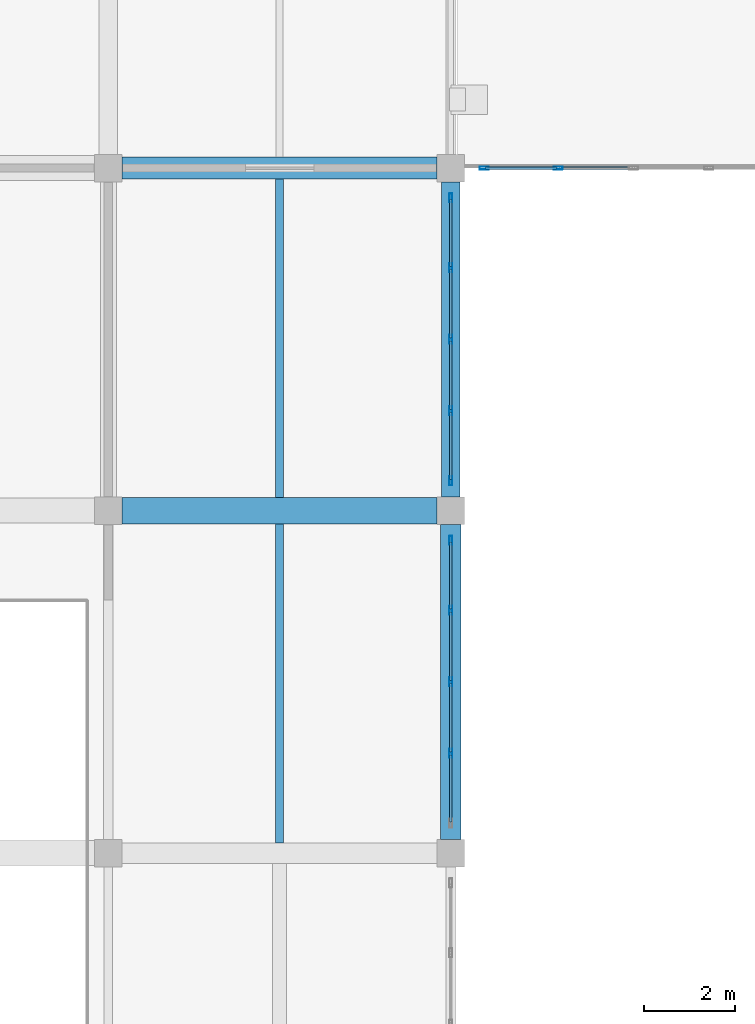
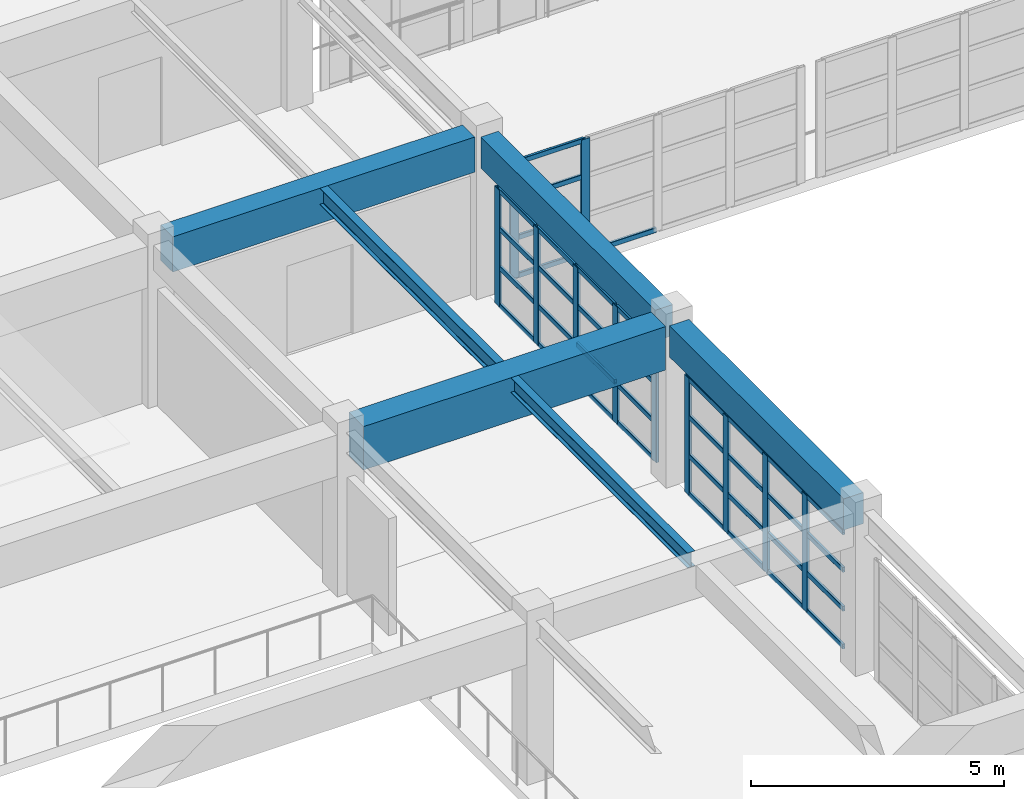
# One storey, part 10 of 124: 48 members, 6 beams, 3 elements without a shape of their own.
"""IFC4 building model written with IfcOpenShell, lengths in metres."""

from ifc_helpers import new_model, si_unit, direction, frame, origin, origin_2d, place, context, subcontext, project, spatial, rectangle, hollow_rectangle, i_section, extrude, material, material_profile, profile_set, type_object, element, aggregate, save


model = new_model("IFC4")

# Units and contexts
model_context = context("Model", 3, precision=1e-05, world=origin(), true_north=direction((0.0, 1.0)))
body_context = subcontext(model_context, "Body", "Model", "MODEL_VIEW")
ifc_project = project(units=[si_unit("LENGTHUNIT", "METRE"), si_unit("AREAUNIT", "SQUARE_METRE"), si_unit("VOLUMEUNIT", "CUBIC_METRE"), si_unit("PLANEANGLEUNIT", "RADIAN"), si_unit("MASSUNIT", "GRAM", prefix="KILO")], contexts=[model_context])

# Site, building, storey
site_placement = place(None, origin())
site = spatial("IfcSite", under=ifc_project, at=site_placement, CompositionType="ELEMENT")
building_placement = place(site_placement, origin())
building = spatial("IfcBuilding", under=site, at=building_placement, Name="Qasida Concert Hall", CompositionType="ELEMENT")
storey_placement = place(building_placement, frame((0.0, 0.0, 9.0)))
storey = spatial("IfcBuildingStorey", under=building, at=storey_placement, Name="L02", CompositionType="ELEMENT", Elevation=9.0)

# Beams
ifc_material_1 = material(Name="Concrete C40/50", Category="concrete")
ifc_material_profile_1 = material_profile(ifc_material_1, rectangle(XDim=0.47998046875, YDim=0.85009765625, at=origin_2d()), Name="RC 480x850")
ifc_profile_set_1 = profile_set([ifc_material_profile_1], Name="Concrete C40/50")
beam_type_1 = type_object("IfcBeamType", Name="BM-G6", PredefinedType="USERDEFINED", material=ifc_profile_set_1)
beam_1_placement = place(storey_placement, frame((30.300048828125, 30.0, 3.47509765625), z_axis=(1.0, 0.0, 0.0), x_axis=(0.0, 1.0, 0.0)))
element("IfcBeam", 1, at=beam_1_placement, inside=storey, type_object=beam_type_1, Name="Primary girder 1283", ObjectType="GIRDER", PredefinedType="USERDEFINED", context=body_context, shape_type="SweptSolid", body=[
    extrude(rectangle(XDim=0.47998046875, YDim=0.85009765625, at=origin_2d()), origin(), (0.0, 0.0, 1.0), 6.89990234375),
])
ifc_material_2 = material(Name="Concrete C50/60", Category="concrete")
ifc_material_profile_2 = material_profile(ifc_material_2, rectangle(XDim=0.580078125, YDim=1.050048828125, at=origin_2d()), Name="RC 580x1050")
ifc_profile_set_2 = profile_set([ifc_material_profile_2], Name="Concrete C50/60")
beam_type_2 = type_object("IfcBeamType", Name="BM-G8", PredefinedType="USERDEFINED", material=ifc_profile_set_2)
beam_2_placement = place(storey_placement, frame((30.300048828125, 22.5, 3.375), z_axis=(1.0, 0.0, 0.0), x_axis=(0.0, 1.0, 0.0)))
element("IfcBeam", 2, at=beam_2_placement, inside=storey, type_object=beam_type_2, Name="Primary girder 1280", ObjectType="GIRDER", PredefinedType="USERDEFINED", context=body_context, shape_type="SweptSolid", body=[
    extrude(rectangle(XDim=0.580078125, YDim=1.050048828125, at=origin_2d()), origin(), (0.0, 0.0, 1.0), 6.89990234375),
])
ifc_material_3 = material(Name="Steel S355J2", Category="steel")
ifc_material_profile_3 = material_profile(ifc_material_3, i_section(OverallWidth=0.169921875, OverallDepth=0.360107421875, WebThickness=0.008056640625, FlangeThickness=0.0126953125, FilletRadius=0.01806640625, at=origin_2d()), Name="IPE 360")
ifc_profile_set_3 = profile_set([ifc_material_profile_3], Name="Steel S355J2")
beam_type_3 = type_object("IfcBeamType", Name="BM-J2", PredefinedType="JOIST", material=ifc_profile_set_3)
beam_3_placement = place(storey_placement, frame((33.75, 15.22509765625, 3.719970703125), z_axis=(0.0, 1.0, 0.0), x_axis=(-1.0, 0.0, 0.0)))
element("IfcBeam", 3, at=beam_3_placement, inside=storey, type_object=beam_type_3, Name="L02 secondary joist 1345", PredefinedType="JOIST", context=body_context, shape_type="SweptSolid", body=[
    extrude(i_section(OverallWidth=0.169921875, OverallDepth=0.360107421875, WebThickness=0.008056640625, FlangeThickness=0.0126953125, FilletRadius=0.01806640625, at=origin_2d()), origin(), (0.0, 0.0, 1.0), 6.98486328125),
])
ifc_material_profile_4 = material_profile(ifc_material_3, i_section(OverallWidth=0.179931640625, OverallDepth=0.39990234375, WebThickness=0.008544921875, FlangeThickness=0.013427734375, FilletRadius=0.02099609375, at=origin_2d()), Name="IPE 400")
ifc_profile_set_4 = profile_set([ifc_material_profile_4], Name="Steel S355J2")
beam_type_4 = type_object("IfcBeamType", Name="BM-J3", PredefinedType="JOIST", material=ifc_profile_set_4)
beam_4_placement = place(storey_placement, frame((33.75, 22.7900390625, 3.699951171875), z_axis=(0.0, 1.0, 0.0), x_axis=(-1.0, 0.0, 0.0)))
element("IfcBeam", 4, at=beam_4_placement, inside=storey, type_object=beam_type_4, Name="L02 secondary joist 1346", PredefinedType="JOIST", context=body_context, shape_type="SweptSolid", body=[
    extrude(i_section(OverallWidth=0.179931640625, OverallDepth=0.39990234375, WebThickness=0.008544921875, FlangeThickness=0.013427734375, FilletRadius=0.02099609375, at=origin_2d()), origin(), (0.0, 0.0, 1.0), 6.969970703125),
])
ifc_material_profile_5 = material_profile(ifc_material_1, rectangle(XDim=0.39990234375, YDim=0.75, at=origin_2d()), Name="RC 400x750")
ifc_profile_set_5 = profile_set([ifc_material_profile_5], Name="Concrete C40/50")
beam_type_5 = type_object("IfcBeamType", Name="BM-SP1", PredefinedType="SPANDREL", material=ifc_profile_set_5)
beam_5_placement = place(storey_placement, frame((37.5, 22.800048828125, 3.52490234375), z_axis=(0.0, 1.0, 0.0), x_axis=(-1.0, 0.0, 0.0)))
element("IfcBeam", 5, at=beam_5_placement, inside=storey, type_object=beam_type_5, Name="L02 girder 1317", PredefinedType="SPANDREL", context=body_context, shape_type="SweptSolid", body=[
    extrude(rectangle(XDim=0.39990234375, YDim=0.75, at=origin_2d()), origin(), (0.0, 0.0, 1.0), 6.89990234375),
])
ifc_material_profile_6 = material_profile(ifc_material_1, rectangle(XDim=0.449951171875, YDim=0.75, at=origin_2d()), Name="RC 450x750")
ifc_profile_set_6 = profile_set([ifc_material_profile_6], Name="Concrete C40/50")
beam_type_6 = type_object("IfcBeamType", Name="BM-SP4", PredefinedType="SPANDREL", material=ifc_profile_set_6)
beam_6_placement = place(storey_placement, frame((37.5, 15.300048828125, 3.52490234375), z_axis=(0.0, 1.0, 0.0), x_axis=(-1.0, 0.0, 0.0)))
element("IfcBeam", 6, at=beam_6_placement, inside=storey, type_object=beam_type_6, Name="L02 girder 1316", PredefinedType="SPANDREL", context=body_context, shape_type="SweptSolid", body=[
    extrude(rectangle(XDim=0.449951171875, YDim=0.75, at=origin_2d()), origin(), (0.0, 0.0, 1.0), 6.89990234375),
])

# Curtain wall, members
ifc_material_4 = material(Name="Architectural bronze-anodized aluminium and low-E glass", Category="aluminium")
curtain_wall_type = type_object("IfcCurtainWallType", Name="CW-08", PredefinedType="NOTDEFINED", material=ifc_material_4)
curtain_wall_1_placement = place(storey_placement, origin())
curtain_wall_1 = element("IfcCurtainWall", 7, at=curtain_wall_1_placement, inside=storey, type_object=curtain_wall_type, Name="L02 curtain wall CW-08 0112", PredefinedType="NOTDEFINED")
ifc_material_5 = material(Name="Architectural bronze-anodized aluminium EN AW-6063", Category="aluminium")
ifc_material_profile_7 = material_profile(ifc_material_5, hollow_rectangle(XDim=0.06494140625, YDim=0.199951171875, WallThickness=0.0048828125, InnerFilletRadius=0.0048828125, OuterFilletRadius=0.010009765625, at=origin_2d()), Name="CWM 200x65x5")
ifc_profile_set_7 = profile_set([ifc_material_profile_7], Name="Architectural bronze-anodized aluminium EN AW-6063")
member_type_1 = type_object("IfcMemberType", Name="MB-CWM-2", PredefinedType="MULLION", material=ifc_profile_set_7)
member_1_placement = place(storey_placement, frame((37.5, 17.18505859375, 0.0), z_axis=(0.0, 0.0, 1.0), x_axis=(-1.0, 0.0, 0.0)))
member_1 = element("IfcMember", 8, at=member_1_placement, type_object=member_type_1, Name="CW-08 mullion 2", PredefinedType="MULLION", context=body_context, shape_type="SweptSolid", body=[
    extrude(hollow_rectangle(XDim=0.06494140625, YDim=0.199951171875, WallThickness=0.0048828125, InnerFilletRadius=0.0048828125, OuterFilletRadius=0.010009765625, at=origin_2d()), origin(), (0.0, 0.0, 1.0), 2.820068359375),
])
member_2_placement = place(storey_placement, frame((37.5, 18.75, 0.0), z_axis=(0.0, 0.0, 1.0), x_axis=(-1.0, 0.0, 0.0)))
member_2 = element("IfcMember", 9, at=member_2_placement, type_object=member_type_1, Name="CW-08 mullion 3", PredefinedType="MULLION", context=body_context, shape_type="SweptSolid", body=[
    extrude(hollow_rectangle(XDim=0.06494140625, YDim=0.199951171875, WallThickness=0.0048828125, InnerFilletRadius=0.0048828125, OuterFilletRadius=0.010009765625, at=origin_2d()), origin(), (0.0, 0.0, 1.0), 2.820068359375),
])
member_3_placement = place(storey_placement, frame((37.5, 20.31494140625, 0.0), z_axis=(0.0, 0.0, 1.0), x_axis=(-1.0, 0.0, 0.0)))
member_3 = element("IfcMember", 10, at=member_3_placement, type_object=member_type_1, Name="CW-08 mullion 4", PredefinedType="MULLION", context=body_context, shape_type="SweptSolid", body=[
    extrude(hollow_rectangle(XDim=0.06494140625, YDim=0.199951171875, WallThickness=0.0048828125, InnerFilletRadius=0.0048828125, OuterFilletRadius=0.010009765625, at=origin_2d()), origin(), (0.0, 0.0, 1.0), 2.820068359375),
])
member_4_placement = place(storey_placement, frame((37.5, 21.847412109375, 0.0), z_axis=(0.0, 0.0, 1.0), x_axis=(-1.0, 0.0, 0.0)))
member_4 = element("IfcMember", 11, at=member_4_placement, type_object=member_type_1, Name="CW-08 mullion 5", PredefinedType="MULLION", context=body_context, shape_type="SweptSolid", body=[
    extrude(hollow_rectangle(XDim=0.06494140625, YDim=0.199951171875, WallThickness=0.0048828125, InnerFilletRadius=0.0048828125, OuterFilletRadius=0.010009765625, at=origin_2d()), origin(), (0.0, 0.0, 1.0), 2.820068359375),
])

curtain_wall_2_placement = place(storey_placement, origin())
curtain_wall_2 = element("IfcCurtainWall", 12, at=curtain_wall_2_placement, inside=storey, type_object=curtain_wall_type, Name="L02 curtain wall CW-08 0113", PredefinedType="NOTDEFINED")
member_5_placement = place(storey_placement, frame((37.5, 23.152587890625, 0.0), z_axis=(0.0, 0.0, 1.0), x_axis=(-1.0, 0.0, 0.0)))
member_5 = element("IfcMember", 13, at=member_5_placement, type_object=member_type_1, Name="CW-08 mullion 1", PredefinedType="MULLION", context=body_context, shape_type="SweptSolid", body=[
    extrude(hollow_rectangle(XDim=0.06494140625, YDim=0.199951171875, WallThickness=0.0048828125, InnerFilletRadius=0.0048828125, OuterFilletRadius=0.010009765625, at=origin_2d()), origin(), (0.0, 0.0, 1.0), 2.820068359375),
])
member_6_placement = place(storey_placement, frame((37.5, 24.68505859375, 0.0), z_axis=(0.0, 0.0, 1.0), x_axis=(-1.0, 0.0, 0.0)))
member_6 = element("IfcMember", 14, at=member_6_placement, type_object=member_type_1, Name="CW-08 mullion 2", PredefinedType="MULLION", context=body_context, shape_type="SweptSolid", body=[
    extrude(hollow_rectangle(XDim=0.06494140625, YDim=0.199951171875, WallThickness=0.0048828125, InnerFilletRadius=0.0048828125, OuterFilletRadius=0.010009765625, at=origin_2d()), origin(), (0.0, 0.0, 1.0), 2.820068359375),
])
member_7_placement = place(storey_placement, frame((37.5, 26.25, 0.0), z_axis=(0.0, 0.0, 1.0), x_axis=(-1.0, 0.0, 0.0)))
member_7 = element("IfcMember", 15, at=member_7_placement, type_object=member_type_1, Name="CW-08 mullion 3", PredefinedType="MULLION", context=body_context, shape_type="SweptSolid", body=[
    extrude(hollow_rectangle(XDim=0.06494140625, YDim=0.199951171875, WallThickness=0.0048828125, InnerFilletRadius=0.0048828125, OuterFilletRadius=0.010009765625, at=origin_2d()), origin(), (0.0, 0.0, 1.0), 2.820068359375),
])
member_8_placement = place(storey_placement, frame((37.5, 27.81494140625, 0.0), z_axis=(0.0, 0.0, 1.0), x_axis=(-1.0, 0.0, 0.0)))
member_8 = element("IfcMember", 16, at=member_8_placement, type_object=member_type_1, Name="CW-08 mullion 4", PredefinedType="MULLION", context=body_context, shape_type="SweptSolid", body=[
    extrude(hollow_rectangle(XDim=0.06494140625, YDim=0.199951171875, WallThickness=0.0048828125, InnerFilletRadius=0.0048828125, OuterFilletRadius=0.010009765625, at=origin_2d()), origin(), (0.0, 0.0, 1.0), 2.820068359375),
])
member_9_placement = place(storey_placement, frame((37.5, 29.347412109375, 0.0), z_axis=(0.0, 0.0, 1.0), x_axis=(-1.0, 0.0, 0.0)))
member_9 = element("IfcMember", 17, at=member_9_placement, type_object=member_type_1, Name="CW-08 mullion 5", PredefinedType="MULLION", context=body_context, shape_type="SweptSolid", body=[
    extrude(hollow_rectangle(XDim=0.06494140625, YDim=0.199951171875, WallThickness=0.0048828125, InnerFilletRadius=0.0048828125, OuterFilletRadius=0.010009765625, at=origin_2d()), origin(), (0.0, 0.0, 1.0), 2.820068359375),
])

curtain_wall_3_placement = place(storey_placement, origin())
curtain_wall_3 = element("IfcCurtainWall", 18, at=curtain_wall_3_placement, inside=storey, type_object=curtain_wall_type, Name="L02 link bridge glazing 0202", PredefinedType="NOTDEFINED")
member_10_placement = place(storey_placement, frame((38.232421875, 30.0, 0.0), z_axis=(0.0, 0.0, 1.0), x_axis=(0.0, 1.0, 0.0)))
member_10 = element("IfcMember", 19, at=member_10_placement, type_object=member_type_1, Name="CW-08 mullion 1", PredefinedType="MULLION", context=body_context, shape_type="SweptSolid", body=[
    extrude(hollow_rectangle(XDim=0.06494140625, YDim=0.199951171875, WallThickness=0.0048828125, InnerFilletRadius=0.0048828125, OuterFilletRadius=0.010009765625, at=origin_2d()), origin(), (0.0, 0.0, 1.0), 2.800048828125),
])
member_11_placement = place(storey_placement, frame((39.85009765625, 30.0, 0.0), z_axis=(0.0, 0.0, 1.0), x_axis=(0.0, 1.0, 0.0)))
member_11 = element("IfcMember", 20, at=member_11_placement, type_object=member_type_1, Name="CW-08 mullion 2", PredefinedType="MULLION", context=body_context, shape_type="SweptSolid", body=[
    extrude(hollow_rectangle(XDim=0.06494140625, YDim=0.199951171875, WallThickness=0.0048828125, InnerFilletRadius=0.0048828125, OuterFilletRadius=0.010009765625, at=origin_2d()), origin(), (0.0, 0.0, 1.0), 2.800048828125),
])

# Member
ifc_material_profile_8 = material_profile(ifc_material_5, hollow_rectangle(XDim=0.06005859375, YDim=0.1201171875, WallThickness=0.00390625, InnerFilletRadius=0.00390625, OuterFilletRadius=0.008056640625, at=origin_2d()), Name="CWT 120x60x4")
ifc_profile_set_8 = profile_set([ifc_material_profile_8], Name="Architectural bronze-anodized aluminium EN AW-6063")
member_type_2 = type_object("IfcMemberType", Name="MB-CWT-2", PredefinedType="USERDEFINED", material=ifc_profile_set_8)
member_12_placement = place(storey_placement, frame((37.5, 15.68505859375, 0.030029296875), z_axis=(0.0, 1.0, 0.0), x_axis=(-1.0, 0.0, 0.0)))
member_12 = element("IfcMember", 21, at=member_12_placement, type_object=member_type_2, Name="CW-08 transom 1.1", ObjectType="TRANSOM", PredefinedType="USERDEFINED", context=body_context, shape_type="SweptSolid", body=[
    extrude(hollow_rectangle(XDim=0.06005859375, YDim=0.1201171875, WallThickness=0.00390625, InnerFilletRadius=0.00390625, OuterFilletRadius=0.008056640625, at=origin_2d()), origin(), (0.0, 0.0, 1.0), 1.467529296875),
])

member_13_placement = place(storey_placement, frame((37.5, 15.68505859375, 0.93994140625), z_axis=(0.0, 1.0, 0.0), x_axis=(-1.0, 0.0, 0.0)))
member_13 = element("IfcMember", 22, at=member_13_placement, type_object=member_type_2, Name="CW-08 transom 1.2", ObjectType="TRANSOM", PredefinedType="USERDEFINED", context=body_context, shape_type="SweptSolid", body=[
    extrude(hollow_rectangle(XDim=0.06005859375, YDim=0.1201171875, WallThickness=0.00390625, InnerFilletRadius=0.00390625, OuterFilletRadius=0.008056640625, at=origin_2d()), origin(), (0.0, 0.0, 1.0), 1.467529296875),
])

member_14_placement = place(storey_placement, frame((37.5, 15.68505859375, 1.8798828125), z_axis=(0.0, 1.0, 0.0), x_axis=(-1.0, 0.0, 0.0)))
member_14 = element("IfcMember", 23, at=member_14_placement, type_object=member_type_2, Name="CW-08 transom 1.3", ObjectType="TRANSOM", PredefinedType="USERDEFINED", context=body_context, shape_type="SweptSolid", body=[
    extrude(hollow_rectangle(XDim=0.06005859375, YDim=0.1201171875, WallThickness=0.00390625, InnerFilletRadius=0.00390625, OuterFilletRadius=0.008056640625, at=origin_2d()), origin(), (0.0, 0.0, 1.0), 1.467529296875),
])

member_15_placement = place(storey_placement, frame((37.5, 15.68505859375, 2.7900390625), z_axis=(0.0, 1.0, 0.0), x_axis=(-1.0, 0.0, 0.0)))
member_15 = element("IfcMember", 24, at=member_15_placement, type_object=member_type_2, Name="CW-08 transom 1.4", ObjectType="TRANSOM", PredefinedType="USERDEFINED", context=body_context, shape_type="SweptSolid", body=[
    extrude(hollow_rectangle(XDim=0.06005859375, YDim=0.1201171875, WallThickness=0.00390625, InnerFilletRadius=0.00390625, OuterFilletRadius=0.008056640625, at=origin_2d()), origin(), (0.0, 0.0, 1.0), 1.467529296875),
])

member_16_placement = place(storey_placement, frame((37.5, 17.217529296875, 0.030029296875), z_axis=(0.0, 1.0, 0.0), x_axis=(-1.0, 0.0, 0.0)))
member_16 = element("IfcMember", 25, at=member_16_placement, type_object=member_type_2, Name="CW-08 transom 2.1", ObjectType="TRANSOM", PredefinedType="USERDEFINED", context=body_context, shape_type="SweptSolid", body=[
    extrude(hollow_rectangle(XDim=0.06005859375, YDim=0.1201171875, WallThickness=0.00390625, InnerFilletRadius=0.00390625, OuterFilletRadius=0.008056640625, at=origin_2d()), origin(), (0.0, 0.0, 1.0), 1.5),
])

member_17_placement = place(storey_placement, frame((37.5, 17.217529296875, 0.93994140625), z_axis=(0.0, 1.0, 0.0), x_axis=(-1.0, 0.0, 0.0)))
member_17 = element("IfcMember", 26, at=member_17_placement, type_object=member_type_2, Name="CW-08 transom 2.2", ObjectType="TRANSOM", PredefinedType="USERDEFINED", context=body_context, shape_type="SweptSolid", body=[
    extrude(hollow_rectangle(XDim=0.06005859375, YDim=0.1201171875, WallThickness=0.00390625, InnerFilletRadius=0.00390625, OuterFilletRadius=0.008056640625, at=origin_2d()), origin(), (0.0, 0.0, 1.0), 1.5),
])

member_18_placement = place(storey_placement, frame((37.5, 17.217529296875, 1.8798828125), z_axis=(0.0, 1.0, 0.0), x_axis=(-1.0, 0.0, 0.0)))
member_18 = element("IfcMember", 27, at=member_18_placement, type_object=member_type_2, Name="CW-08 transom 2.3", ObjectType="TRANSOM", PredefinedType="USERDEFINED", context=body_context, shape_type="SweptSolid", body=[
    extrude(hollow_rectangle(XDim=0.06005859375, YDim=0.1201171875, WallThickness=0.00390625, InnerFilletRadius=0.00390625, OuterFilletRadius=0.008056640625, at=origin_2d()), origin(), (0.0, 0.0, 1.0), 1.5),
])

member_19_placement = place(storey_placement, frame((37.5, 17.217529296875, 2.7900390625), z_axis=(0.0, 1.0, 0.0), x_axis=(-1.0, 0.0, 0.0)))
member_19 = element("IfcMember", 28, at=member_19_placement, type_object=member_type_2, Name="CW-08 transom 2.4", ObjectType="TRANSOM", PredefinedType="USERDEFINED", context=body_context, shape_type="SweptSolid", body=[
    extrude(hollow_rectangle(XDim=0.06005859375, YDim=0.1201171875, WallThickness=0.00390625, InnerFilletRadius=0.00390625, OuterFilletRadius=0.008056640625, at=origin_2d()), origin(), (0.0, 0.0, 1.0), 1.5),
])

member_20_placement = place(storey_placement, frame((37.5, 18.782470703125, 0.030029296875), z_axis=(0.0, 1.0, 0.0), x_axis=(-1.0, 0.0, 0.0)))
member_20 = element("IfcMember", 29, at=member_20_placement, type_object=member_type_2, Name="CW-08 transom 3.1", ObjectType="TRANSOM", PredefinedType="USERDEFINED", context=body_context, shape_type="SweptSolid", body=[
    extrude(hollow_rectangle(XDim=0.06005859375, YDim=0.1201171875, WallThickness=0.00390625, InnerFilletRadius=0.00390625, OuterFilletRadius=0.008056640625, at=origin_2d()), origin(), (0.0, 0.0, 1.0), 1.5),
])

member_21_placement = place(storey_placement, frame((37.5, 18.782470703125, 0.93994140625), z_axis=(0.0, 1.0, 0.0), x_axis=(-1.0, 0.0, 0.0)))
member_21 = element("IfcMember", 30, at=member_21_placement, type_object=member_type_2, Name="CW-08 transom 3.2", ObjectType="TRANSOM", PredefinedType="USERDEFINED", context=body_context, shape_type="SweptSolid", body=[
    extrude(hollow_rectangle(XDim=0.06005859375, YDim=0.1201171875, WallThickness=0.00390625, InnerFilletRadius=0.00390625, OuterFilletRadius=0.008056640625, at=origin_2d()), origin(), (0.0, 0.0, 1.0), 1.5),
])

member_22_placement = place(storey_placement, frame((37.5, 18.782470703125, 1.8798828125), z_axis=(0.0, 1.0, 0.0), x_axis=(-1.0, 0.0, 0.0)))
member_22 = element("IfcMember", 31, at=member_22_placement, type_object=member_type_2, Name="CW-08 transom 3.3", ObjectType="TRANSOM", PredefinedType="USERDEFINED", context=body_context, shape_type="SweptSolid", body=[
    extrude(hollow_rectangle(XDim=0.06005859375, YDim=0.1201171875, WallThickness=0.00390625, InnerFilletRadius=0.00390625, OuterFilletRadius=0.008056640625, at=origin_2d()), origin(), (0.0, 0.0, 1.0), 1.5),
])

member_23_placement = place(storey_placement, frame((37.5, 18.782470703125, 2.7900390625), z_axis=(0.0, 1.0, 0.0), x_axis=(-1.0, 0.0, 0.0)))
member_23 = element("IfcMember", 32, at=member_23_placement, type_object=member_type_2, Name="CW-08 transom 3.4", ObjectType="TRANSOM", PredefinedType="USERDEFINED", context=body_context, shape_type="SweptSolid", body=[
    extrude(hollow_rectangle(XDim=0.06005859375, YDim=0.1201171875, WallThickness=0.00390625, InnerFilletRadius=0.00390625, OuterFilletRadius=0.008056640625, at=origin_2d()), origin(), (0.0, 0.0, 1.0), 1.5),
])

member_24_placement = place(storey_placement, frame((37.5, 20.347412109375, 0.030029296875), z_axis=(0.0, 1.0, 0.0), x_axis=(-1.0, 0.0, 0.0)))
member_24 = element("IfcMember", 33, at=member_24_placement, type_object=member_type_2, Name="CW-08 transom 4.1", ObjectType="TRANSOM", PredefinedType="USERDEFINED", context=body_context, shape_type="SweptSolid", body=[
    extrude(hollow_rectangle(XDim=0.06005859375, YDim=0.1201171875, WallThickness=0.00390625, InnerFilletRadius=0.00390625, OuterFilletRadius=0.008056640625, at=origin_2d()), origin(), (0.0, 0.0, 1.0), 1.467529296875),
])

member_25_placement = place(storey_placement, frame((37.5, 20.347412109375, 0.93994140625), z_axis=(0.0, 1.0, 0.0), x_axis=(-1.0, 0.0, 0.0)))
member_25 = element("IfcMember", 34, at=member_25_placement, type_object=member_type_2, Name="CW-08 transom 4.2", ObjectType="TRANSOM", PredefinedType="USERDEFINED", context=body_context, shape_type="SweptSolid", body=[
    extrude(hollow_rectangle(XDim=0.06005859375, YDim=0.1201171875, WallThickness=0.00390625, InnerFilletRadius=0.00390625, OuterFilletRadius=0.008056640625, at=origin_2d()), origin(), (0.0, 0.0, 1.0), 1.467529296875),
])

member_26_placement = place(storey_placement, frame((37.5, 20.347412109375, 1.8798828125), z_axis=(0.0, 1.0, 0.0), x_axis=(-1.0, 0.0, 0.0)))
member_26 = element("IfcMember", 35, at=member_26_placement, type_object=member_type_2, Name="CW-08 transom 4.3", ObjectType="TRANSOM", PredefinedType="USERDEFINED", context=body_context, shape_type="SweptSolid", body=[
    extrude(hollow_rectangle(XDim=0.06005859375, YDim=0.1201171875, WallThickness=0.00390625, InnerFilletRadius=0.00390625, OuterFilletRadius=0.008056640625, at=origin_2d()), origin(), (0.0, 0.0, 1.0), 1.467529296875),
])

member_27_placement = place(storey_placement, frame((37.5, 20.347412109375, 2.7900390625), z_axis=(0.0, 1.0, 0.0), x_axis=(-1.0, 0.0, 0.0)))
member_27 = element("IfcMember", 36, at=member_27_placement, type_object=member_type_2, Name="CW-08 transom 4.4", ObjectType="TRANSOM", PredefinedType="USERDEFINED", context=body_context, shape_type="SweptSolid", body=[
    extrude(hollow_rectangle(XDim=0.06005859375, YDim=0.1201171875, WallThickness=0.00390625, InnerFilletRadius=0.00390625, OuterFilletRadius=0.008056640625, at=origin_2d()), origin(), (0.0, 0.0, 1.0), 1.467529296875),
])

aggregate(curtain_wall_1, [member_1, member_2, member_3, member_4, member_12, member_13, member_14, member_15, member_16, member_17, member_18, member_19, member_20, member_21, member_22, member_23, member_24, member_25, member_26, member_27])

member_28_placement = place(storey_placement, frame((37.5, 23.18505859375, 0.030029296875), z_axis=(0.0, 1.0, 0.0), x_axis=(-1.0, 0.0, 0.0)))
member_28 = element("IfcMember", 37, at=member_28_placement, type_object=member_type_2, Name="CW-08 transom 1.1", ObjectType="TRANSOM", PredefinedType="USERDEFINED", context=body_context, shape_type="SweptSolid", body=[
    extrude(hollow_rectangle(XDim=0.06005859375, YDim=0.1201171875, WallThickness=0.00390625, InnerFilletRadius=0.00390625, OuterFilletRadius=0.008056640625, at=origin_2d()), origin(), (0.0, 0.0, 1.0), 1.467529296875),
])

member_29_placement = place(storey_placement, frame((37.5, 23.18505859375, 0.93994140625), z_axis=(0.0, 1.0, 0.0), x_axis=(-1.0, 0.0, 0.0)))
member_29 = element("IfcMember", 38, at=member_29_placement, type_object=member_type_2, Name="CW-08 transom 1.2", ObjectType="TRANSOM", PredefinedType="USERDEFINED", context=body_context, shape_type="SweptSolid", body=[
    extrude(hollow_rectangle(XDim=0.06005859375, YDim=0.1201171875, WallThickness=0.00390625, InnerFilletRadius=0.00390625, OuterFilletRadius=0.008056640625, at=origin_2d()), origin(), (0.0, 0.0, 1.0), 1.467529296875),
])

member_30_placement = place(storey_placement, frame((37.5, 23.18505859375, 1.8798828125), z_axis=(0.0, 1.0, 0.0), x_axis=(-1.0, 0.0, 0.0)))
member_30 = element("IfcMember", 39, at=member_30_placement, type_object=member_type_2, Name="CW-08 transom 1.3", ObjectType="TRANSOM", PredefinedType="USERDEFINED", context=body_context, shape_type="SweptSolid", body=[
    extrude(hollow_rectangle(XDim=0.06005859375, YDim=0.1201171875, WallThickness=0.00390625, InnerFilletRadius=0.00390625, OuterFilletRadius=0.008056640625, at=origin_2d()), origin(), (0.0, 0.0, 1.0), 1.467529296875),
])

member_31_placement = place(storey_placement, frame((37.5, 23.18505859375, 2.7900390625), z_axis=(0.0, 1.0, 0.0), x_axis=(-1.0, 0.0, 0.0)))
member_31 = element("IfcMember", 40, at=member_31_placement, type_object=member_type_2, Name="CW-08 transom 1.4", ObjectType="TRANSOM", PredefinedType="USERDEFINED", context=body_context, shape_type="SweptSolid", body=[
    extrude(hollow_rectangle(XDim=0.06005859375, YDim=0.1201171875, WallThickness=0.00390625, InnerFilletRadius=0.00390625, OuterFilletRadius=0.008056640625, at=origin_2d()), origin(), (0.0, 0.0, 1.0), 1.467529296875),
])

member_32_placement = place(storey_placement, frame((37.5, 24.717529296875, 0.030029296875), z_axis=(0.0, 1.0, 0.0), x_axis=(-1.0, 0.0, 0.0)))
member_32 = element("IfcMember", 41, at=member_32_placement, type_object=member_type_2, Name="CW-08 transom 2.1", ObjectType="TRANSOM", PredefinedType="USERDEFINED", context=body_context, shape_type="SweptSolid", body=[
    extrude(hollow_rectangle(XDim=0.06005859375, YDim=0.1201171875, WallThickness=0.00390625, InnerFilletRadius=0.00390625, OuterFilletRadius=0.008056640625, at=origin_2d()), origin(), (0.0, 0.0, 1.0), 1.5),
])

member_33_placement = place(storey_placement, frame((37.5, 24.717529296875, 0.93994140625), z_axis=(0.0, 1.0, 0.0), x_axis=(-1.0, 0.0, 0.0)))
member_33 = element("IfcMember", 42, at=member_33_placement, type_object=member_type_2, Name="CW-08 transom 2.2", ObjectType="TRANSOM", PredefinedType="USERDEFINED", context=body_context, shape_type="SweptSolid", body=[
    extrude(hollow_rectangle(XDim=0.06005859375, YDim=0.1201171875, WallThickness=0.00390625, InnerFilletRadius=0.00390625, OuterFilletRadius=0.008056640625, at=origin_2d()), origin(), (0.0, 0.0, 1.0), 1.5),
])

member_34_placement = place(storey_placement, frame((37.5, 24.717529296875, 1.8798828125), z_axis=(0.0, 1.0, 0.0), x_axis=(-1.0, 0.0, 0.0)))
member_34 = element("IfcMember", 43, at=member_34_placement, type_object=member_type_2, Name="CW-08 transom 2.3", ObjectType="TRANSOM", PredefinedType="USERDEFINED", context=body_context, shape_type="SweptSolid", body=[
    extrude(hollow_rectangle(XDim=0.06005859375, YDim=0.1201171875, WallThickness=0.00390625, InnerFilletRadius=0.00390625, OuterFilletRadius=0.008056640625, at=origin_2d()), origin(), (0.0, 0.0, 1.0), 1.5),
])

member_35_placement = place(storey_placement, frame((37.5, 24.717529296875, 2.7900390625), z_axis=(0.0, 1.0, 0.0), x_axis=(-1.0, 0.0, 0.0)))
member_35 = element("IfcMember", 44, at=member_35_placement, type_object=member_type_2, Name="CW-08 transom 2.4", ObjectType="TRANSOM", PredefinedType="USERDEFINED", context=body_context, shape_type="SweptSolid", body=[
    extrude(hollow_rectangle(XDim=0.06005859375, YDim=0.1201171875, WallThickness=0.00390625, InnerFilletRadius=0.00390625, OuterFilletRadius=0.008056640625, at=origin_2d()), origin(), (0.0, 0.0, 1.0), 1.5),
])

member_36_placement = place(storey_placement, frame((37.5, 26.282470703125, 0.030029296875), z_axis=(0.0, 1.0, 0.0), x_axis=(-1.0, 0.0, 0.0)))
member_36 = element("IfcMember", 45, at=member_36_placement, type_object=member_type_2, Name="CW-08 transom 3.1", ObjectType="TRANSOM", PredefinedType="USERDEFINED", context=body_context, shape_type="SweptSolid", body=[
    extrude(hollow_rectangle(XDim=0.06005859375, YDim=0.1201171875, WallThickness=0.00390625, InnerFilletRadius=0.00390625, OuterFilletRadius=0.008056640625, at=origin_2d()), origin(), (0.0, 0.0, 1.0), 1.5),
])

member_37_placement = place(storey_placement, frame((37.5, 26.282470703125, 0.93994140625), z_axis=(0.0, 1.0, 0.0), x_axis=(-1.0, 0.0, 0.0)))
member_37 = element("IfcMember", 46, at=member_37_placement, type_object=member_type_2, Name="CW-08 transom 3.2", ObjectType="TRANSOM", PredefinedType="USERDEFINED", context=body_context, shape_type="SweptSolid", body=[
    extrude(hollow_rectangle(XDim=0.06005859375, YDim=0.1201171875, WallThickness=0.00390625, InnerFilletRadius=0.00390625, OuterFilletRadius=0.008056640625, at=origin_2d()), origin(), (0.0, 0.0, 1.0), 1.5),
])

member_38_placement = place(storey_placement, frame((37.5, 26.282470703125, 1.8798828125), z_axis=(0.0, 1.0, 0.0), x_axis=(-1.0, 0.0, 0.0)))
member_38 = element("IfcMember", 47, at=member_38_placement, type_object=member_type_2, Name="CW-08 transom 3.3", ObjectType="TRANSOM", PredefinedType="USERDEFINED", context=body_context, shape_type="SweptSolid", body=[
    extrude(hollow_rectangle(XDim=0.06005859375, YDim=0.1201171875, WallThickness=0.00390625, InnerFilletRadius=0.00390625, OuterFilletRadius=0.008056640625, at=origin_2d()), origin(), (0.0, 0.0, 1.0), 1.5),
])

member_39_placement = place(storey_placement, frame((37.5, 26.282470703125, 2.7900390625), z_axis=(0.0, 1.0, 0.0), x_axis=(-1.0, 0.0, 0.0)))
member_39 = element("IfcMember", 48, at=member_39_placement, type_object=member_type_2, Name="CW-08 transom 3.4", ObjectType="TRANSOM", PredefinedType="USERDEFINED", context=body_context, shape_type="SweptSolid", body=[
    extrude(hollow_rectangle(XDim=0.06005859375, YDim=0.1201171875, WallThickness=0.00390625, InnerFilletRadius=0.00390625, OuterFilletRadius=0.008056640625, at=origin_2d()), origin(), (0.0, 0.0, 1.0), 1.5),
])

member_40_placement = place(storey_placement, frame((37.5, 27.847412109375, 0.030029296875), z_axis=(0.0, 1.0, 0.0), x_axis=(-1.0, 0.0, 0.0)))
member_40 = element("IfcMember", 49, at=member_40_placement, type_object=member_type_2, Name="CW-08 transom 4.1", ObjectType="TRANSOM", PredefinedType="USERDEFINED", context=body_context, shape_type="SweptSolid", body=[
    extrude(hollow_rectangle(XDim=0.06005859375, YDim=0.1201171875, WallThickness=0.00390625, InnerFilletRadius=0.00390625, OuterFilletRadius=0.008056640625, at=origin_2d()), origin(), (0.0, 0.0, 1.0), 1.467529296875),
])

member_41_placement = place(storey_placement, frame((37.5, 27.847412109375, 0.93994140625), z_axis=(0.0, 1.0, 0.0), x_axis=(-1.0, 0.0, 0.0)))
member_41 = element("IfcMember", 50, at=member_41_placement, type_object=member_type_2, Name="CW-08 transom 4.2", ObjectType="TRANSOM", PredefinedType="USERDEFINED", context=body_context, shape_type="SweptSolid", body=[
    extrude(hollow_rectangle(XDim=0.06005859375, YDim=0.1201171875, WallThickness=0.00390625, InnerFilletRadius=0.00390625, OuterFilletRadius=0.008056640625, at=origin_2d()), origin(), (0.0, 0.0, 1.0), 1.467529296875),
])

member_42_placement = place(storey_placement, frame((37.5, 27.847412109375, 1.8798828125), z_axis=(0.0, 1.0, 0.0), x_axis=(-1.0, 0.0, 0.0)))
member_42 = element("IfcMember", 51, at=member_42_placement, type_object=member_type_2, Name="CW-08 transom 4.3", ObjectType="TRANSOM", PredefinedType="USERDEFINED", context=body_context, shape_type="SweptSolid", body=[
    extrude(hollow_rectangle(XDim=0.06005859375, YDim=0.1201171875, WallThickness=0.00390625, InnerFilletRadius=0.00390625, OuterFilletRadius=0.008056640625, at=origin_2d()), origin(), (0.0, 0.0, 1.0), 1.467529296875),
])

member_43_placement = place(storey_placement, frame((37.5, 27.847412109375, 2.7900390625), z_axis=(0.0, 1.0, 0.0), x_axis=(-1.0, 0.0, 0.0)))
member_43 = element("IfcMember", 52, at=member_43_placement, type_object=member_type_2, Name="CW-08 transom 4.4", ObjectType="TRANSOM", PredefinedType="USERDEFINED", context=body_context, shape_type="SweptSolid", body=[
    extrude(hollow_rectangle(XDim=0.06005859375, YDim=0.1201171875, WallThickness=0.00390625, InnerFilletRadius=0.00390625, OuterFilletRadius=0.008056640625, at=origin_2d()), origin(), (0.0, 0.0, 1.0), 1.467529296875),
])

aggregate(curtain_wall_2, [member_5, member_6, member_7, member_8, member_9, member_28, member_29, member_30, member_31, member_32, member_33, member_34, member_35, member_36, member_37, member_38, member_39, member_40, member_41, member_42, member_43])

member_44_placement = place(storey_placement, frame((38.264892578125, 30.0, 0.030029296875), z_axis=(1.0, 0.0, 0.0), x_axis=(0.0, 1.0, 0.0)))
member_44 = element("IfcMember", 53, at=member_44_placement, type_object=member_type_2, Name="CW-08 transom 1.1", ObjectType="TRANSOM", PredefinedType="USERDEFINED", context=body_context, shape_type="SweptSolid", body=[
    extrude(hollow_rectangle(XDim=0.06005859375, YDim=0.1201171875, WallThickness=0.00390625, InnerFilletRadius=0.00390625, OuterFilletRadius=0.008056640625, at=origin_2d()), origin(), (0.0, 0.0, 1.0), 1.552490234375),
])

member_45_placement = place(storey_placement, frame((38.264892578125, 30.0, 0.949951171875), z_axis=(1.0, 0.0, 0.0), x_axis=(0.0, 1.0, 0.0)))
member_45 = element("IfcMember", 54, at=member_45_placement, type_object=member_type_2, Name="CW-08 transom 1.2", ObjectType="TRANSOM", PredefinedType="USERDEFINED", context=body_context, shape_type="SweptSolid", body=[
    extrude(hollow_rectangle(XDim=0.06005859375, YDim=0.1201171875, WallThickness=0.00390625, InnerFilletRadius=0.00390625, OuterFilletRadius=0.008056640625, at=origin_2d()), origin(), (0.0, 0.0, 1.0), 1.552490234375),
])

member_46_placement = place(storey_placement, frame((38.264892578125, 30.0, 1.89990234375), z_axis=(1.0, 0.0, 0.0), x_axis=(0.0, 1.0, 0.0)))
member_46 = element("IfcMember", 55, at=member_46_placement, type_object=member_type_2, Name="CW-08 transom 1.3", ObjectType="TRANSOM", PredefinedType="USERDEFINED", context=body_context, shape_type="SweptSolid", body=[
    extrude(hollow_rectangle(XDim=0.06005859375, YDim=0.1201171875, WallThickness=0.00390625, InnerFilletRadius=0.00390625, OuterFilletRadius=0.008056640625, at=origin_2d()), origin(), (0.0, 0.0, 1.0), 1.552490234375),
])

member_47_placement = place(storey_placement, frame((38.264892578125, 30.0, 2.77001953125), z_axis=(1.0, 0.0, 0.0), x_axis=(0.0, 1.0, 0.0)))
member_47 = element("IfcMember", 56, at=member_47_placement, type_object=member_type_2, Name="CW-08 transom 1.4", ObjectType="TRANSOM", PredefinedType="USERDEFINED", context=body_context, shape_type="SweptSolid", body=[
    extrude(hollow_rectangle(XDim=0.06005859375, YDim=0.1201171875, WallThickness=0.00390625, InnerFilletRadius=0.00390625, OuterFilletRadius=0.008056640625, at=origin_2d()), origin(), (0.0, 0.0, 1.0), 1.552490234375),
])

member_48_placement = place(storey_placement, frame((39.882568359375, 30.0, 0.030029296875), z_axis=(1.0, 0.0, 0.0), x_axis=(0.0, 1.0, 0.0)))
member_48 = element("IfcMember", 57, at=member_48_placement, type_object=member_type_2, Name="CW-08 transom 2.1", ObjectType="TRANSOM", PredefinedType="USERDEFINED", context=body_context, shape_type="SweptSolid", body=[
    extrude(hollow_rectangle(XDim=0.06005859375, YDim=0.1201171875, WallThickness=0.00390625, InnerFilletRadius=0.00390625, OuterFilletRadius=0.008056640625, at=origin_2d()), origin(), (0.0, 0.0, 1.0), 1.5849609375),
])

aggregate(curtain_wall_3, [member_10, member_11, member_44, member_45, member_46, member_47, member_48])

save(model, "model.ifc")
